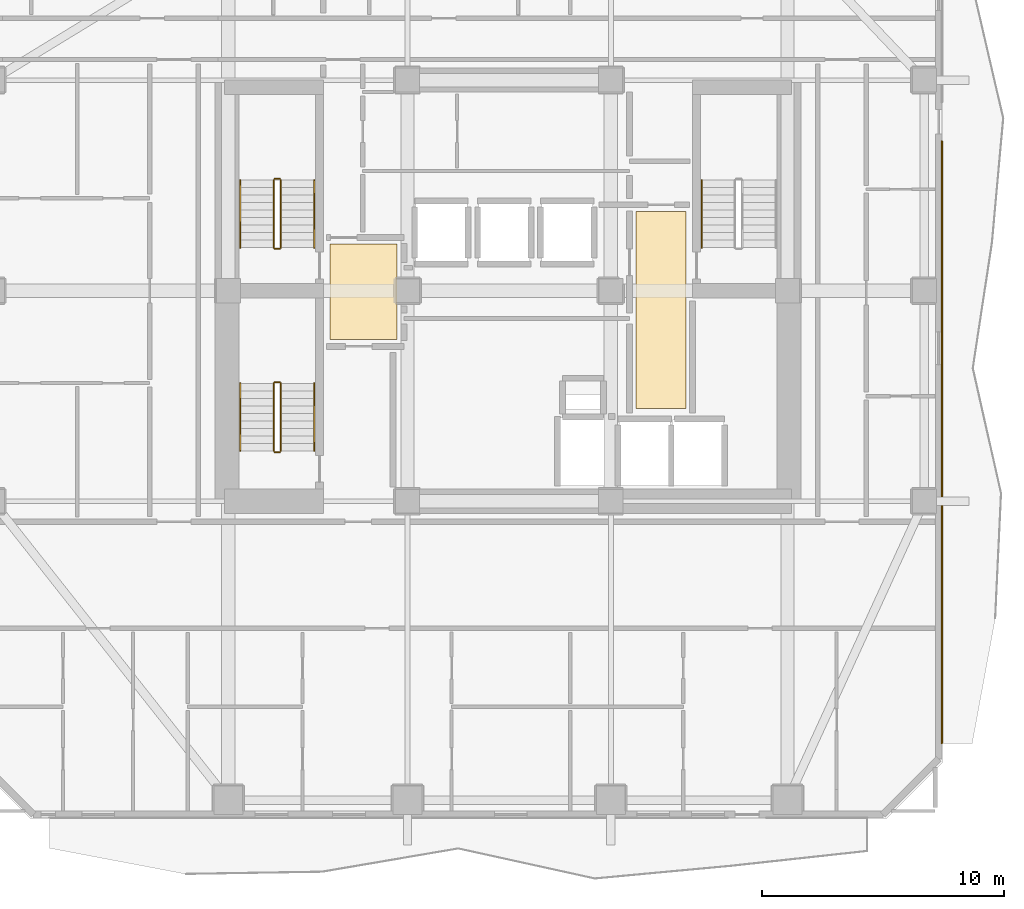
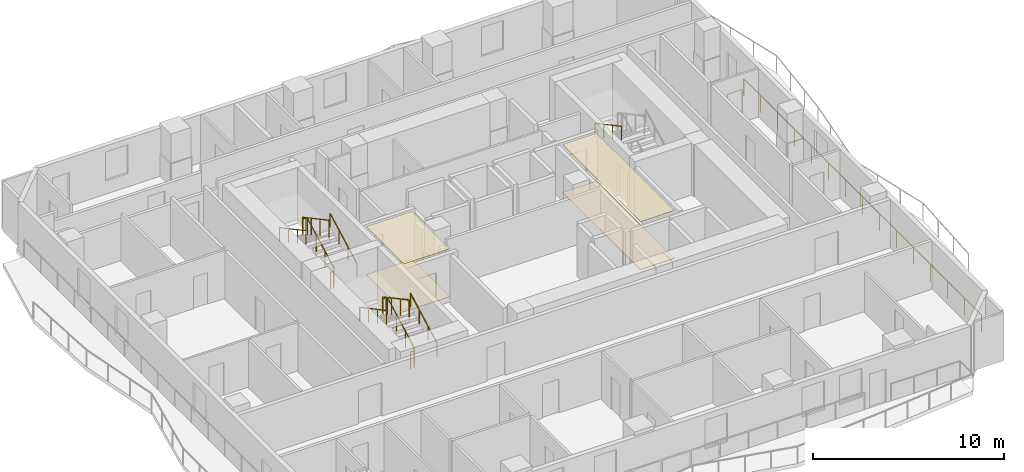
# One storey, part 9 of 11: 14 railings, 4 coverings.
"""IFC4 building model written with IfcOpenShell, lengths in metres."""

from ifc_helpers import new_model, si_unit, direction, frame, origin, origin_2d, place, context, subcontext, project, spatial, polyline, rectangle, outline, extrude, material, layer, layer_set, type_object, element, save


model = new_model("IFC4")

# Units and contexts
model_context = context("Model", 3, precision=1e-05, world=origin(), true_north=direction((0.0, 1.0)))
body_context = subcontext(model_context, "Body", "Model", "MODEL_VIEW")
ifc_project = project(units=[si_unit("LENGTHUNIT", "METRE"), si_unit("AREAUNIT", "SQUARE_METRE"), si_unit("VOLUMEUNIT", "CUBIC_METRE"), si_unit("PLANEANGLEUNIT", "RADIAN"), si_unit("MASSUNIT", "GRAM", prefix="KILO")], contexts=[model_context])

# Site, building, storey
site_placement = place(None, origin())
site = spatial("IfcSite", under=ifc_project, at=site_placement, CompositionType="ELEMENT")
building_placement = place(site_placement, origin())
building = spatial("IfcBuilding", under=site, at=building_placement, Name="Solanera Arch Residences", CompositionType="ELEMENT")
storey_placement = place(building_placement, frame((0.0, 0.0, 112.719970703125)))
storey = spatial("IfcBuildingStorey", under=building, at=storey_placement, Name="L32", CompositionType="ELEMENT", Elevation=112.719970703125)

# Railing
ifc_material_1 = material(Name="Steel S355 (ASTM A992 / A572 Grade 50)", Category="steel")
railing_type_1 = type_object("IfcRailingType", Name="Balustrade Railing BL-1100", PredefinedType="BALUSTRADE", material=ifc_material_1)
railing_1_placement = place(storey_placement, frame((42.8798828125, 36.8779296875, 0.0)))
element("IfcRailing", 1, at=railing_1_placement, inside=storey, type_object=railing_type_1, Name="L32 E Balcony Balustrade 2", PredefinedType="BALUSTRADE", context=body_context, shape_type="SweptSolid", body=[
    extrude(rectangle(XDim=0.048095703125, YDim=0.048095703125, at=origin_2d()), frame((0.0, 0.0, 1.09619140625), z_axis=(0.0, -1.0, 0.0), x_axis=(1.0, 0.0, 0.0)), (0.0, 0.0, 1.0), 24.8779296875),
    extrude(rectangle(XDim=0.0419921875, YDim=0.0419921875, at=origin_2d()), origin(), (0.0, 0.0, 1.0), 1.072021484375),
    extrude(rectangle(XDim=0.0419921875, YDim=0.0419921875, at=origin_2d()), frame((0.0, -1.777099609375, 0.0)), (0.0, 0.0, 1.0), 1.072021484375),
    extrude(rectangle(XDim=0.0419921875, YDim=0.0419921875, at=origin_2d()), frame((0.0, -3.553955078125, 0.0)), (0.0, 0.0, 1.0), 1.072021484375),
    extrude(rectangle(XDim=0.0419921875, YDim=0.0419921875, at=origin_2d()), frame((0.0, -5.3310546875, 0.0)), (0.0, 0.0, 1.0), 1.072021484375),
    extrude(rectangle(XDim=0.0419921875, YDim=0.0419921875, at=origin_2d()), frame((0.0, -7.10791015625, 0.0)), (0.0, 0.0, 1.0), 1.072021484375),
    extrude(rectangle(XDim=0.0419921875, YDim=0.0419921875, at=origin_2d()), frame((0.0, -8.885009765625, 0.0)), (0.0, 0.0, 1.0), 1.072021484375),
    extrude(rectangle(XDim=0.0419921875, YDim=0.0419921875, at=origin_2d()), frame((0.0, -10.661865234375, 0.0)), (0.0, 0.0, 1.0), 1.072021484375),
    extrude(rectangle(XDim=0.0419921875, YDim=0.0419921875, at=origin_2d()), frame((0.0, -12.43896484375, 0.0)), (0.0, 0.0, 1.0), 1.072021484375),
    extrude(rectangle(XDim=0.0419921875, YDim=0.0419921875, at=origin_2d()), frame((0.0, -14.216064453125, 0.0)), (0.0, 0.0, 1.0), 1.072021484375),
    extrude(rectangle(XDim=0.0419921875, YDim=0.0419921875, at=origin_2d()), frame((0.0, -15.992919921875, 0.0)), (0.0, 0.0, 1.0), 1.072021484375),
    extrude(rectangle(XDim=0.0419921875, YDim=0.0419921875, at=origin_2d()), frame((0.0, -17.77001953125, 0.0)), (0.0, 0.0, 1.0), 1.072021484375),
    extrude(rectangle(XDim=0.0419921875, YDim=0.0419921875, at=origin_2d()), frame((0.0, -19.546875, 0.0)), (0.0, 0.0, 1.0), 1.072021484375),
    extrude(rectangle(XDim=0.0419921875, YDim=0.0419921875, at=origin_2d()), frame((0.0, -21.323974609375, 0.0)), (0.0, 0.0, 1.0), 1.072021484375),
    extrude(rectangle(XDim=0.0419921875, YDim=0.0419921875, at=origin_2d()), frame((0.0, -23.100830078125, 0.0)), (0.0, 0.0, 1.0), 1.072021484375),
    extrude(rectangle(XDim=0.0419921875, YDim=0.0419921875, at=origin_2d()), frame((0.0, -24.8779296875, 0.0)), (0.0, 0.0, 1.0), 1.072021484375),
])

# Coverings
ifc_material_2 = material(Name="Porcelain Acoustic Floor Tile", Category="ceramic")
ifc_layer_1 = layer(ifc_material_2, 0.02001953125)
ifc_layer_set_1 = layer_set([ifc_layer_1], Name="Porcelain Acoustic Floor Tile")
covering_type_1 = type_object("IfcCoveringType", Name="Porcelain Acoustic Floor Finish FLR-20", PredefinedType="FLOORING", material=ifc_layer_set_1)
covering_1_placement = place(storey_placement, origin())
element("IfcCovering", 2, at=covering_1_placement, inside=storey, type_object=covering_type_1, Name="L32-FFL-W Porcelain Floor Finish", PredefinedType="FLOORING", context=body_context, shape_type="SweptSolid", body=[
    extrude(outline(polyline([(20.375, 28.675048828125), (17.594970703125, 28.675048828125), (17.594970703125, 32.625), (20.375, 32.625), (20.375, 28.675048828125)])), origin(), (0.0, 0.0, 1.0), 0.02001953125),
])
covering_2_placement = place(storey_placement, origin())
element("IfcCovering", 3, at=covering_2_placement, inside=storey, type_object=covering_type_1, Name="L32-FFL-E Porcelain Floor Finish", PredefinedType="FLOORING", context=body_context, shape_type="SweptSolid", body=[
    extrude(outline(polyline([(32.304931640625, 25.824951171875), (30.25, 25.824951171875), (30.25, 33.97509765625), (32.304931640625, 33.97509765625), (32.304931640625, 25.824951171875)])), origin(), (0.0, 0.0, 1.0), 0.02001953125),
])

# Railings
ifc_material_3 = material(Name="Steel S355 (ASTM A992 / A572 Grade 50)", Category="steel")
railing_type_2 = type_object("IfcRailingType", Name="Stair Guardrail GR-1100", PredefinedType="GUARDRAIL", material=ifc_material_3)
railing_2_placement = place(storey_placement, frame((15.570068359375, 32.47998046875, 0.151123046875)))
element("IfcRailing", 4, at=railing_2_placement, inside=storey, type_object=railing_type_2, Name="L32 ST-T1 stair guard 1", PredefinedType="GUARDRAIL", context=body_context, shape_type="SweptSolid", body=[
    extrude(rectangle(XDim=0.048095703125, YDim=0.048095703125, at=origin_2d()), frame((0.0, 0.0, 1.076171875), z_axis=(0.0, 0.881580869306, 0.472033018838), x_axis=(-1.0, 0.0, 0.0)), (0.0, 0.0, 1.0), 3.164794921875),
    extrude(rectangle(XDim=0.0419921875, YDim=0.0419921875, at=origin_2d()), origin(), (0.0, 0.0, 1.0), 1.052001953125),
    extrude(rectangle(XDim=0.0419921875, YDim=0.0419921875, at=origin_2d()), frame((0.0, 0.929931640625, 0.498046875)), (0.0, 0.0, 1.0), 1.052001953125),
    extrude(rectangle(XDim=0.0419921875, YDim=0.0419921875, at=origin_2d()), frame((0.0, 1.860107421875, 0.995849609375)), (0.0, 0.0, 1.0), 1.052001953125),
    extrude(rectangle(XDim=0.0419921875, YDim=0.0419921875, at=origin_2d()), frame((0.0, 2.7900390625, 1.493896484375)), (0.0, 0.0, 1.0), 1.052001953125),
])
railing_3_placement = place(storey_placement, frame((15.52001953125, 35.320068359375, 1.64501953125)))
element("IfcRailing", 5, at=railing_3_placement, inside=storey, type_object=railing_type_2, Name="L32 ST-T1 stair guard 2", PredefinedType="GUARDRAIL", context=body_context, shape_type="SweptSolid", body=[
    extrude(rectangle(XDim=0.048095703125, YDim=0.048095703125, at=origin_2d()), frame((0.0, 0.0, 1.076171875), z_axis=(-1.0, 0.0, 0.0), x_axis=(0.0, -1.0, 0.0)), (0.0, 0.0, 1.0), 0.199951171875),
    extrude(rectangle(XDim=0.0419921875, YDim=0.0419921875, at=origin_2d()), origin(), (0.0, 0.0, 1.0), 1.052001953125),
    extrude(rectangle(XDim=0.0419921875, YDim=0.0419921875, at=origin_2d()), frame((-0.199951171875, 0.0, 0.0)), (0.0, 0.0, 1.0), 1.052001953125),
])
railing_4_placement = place(storey_placement, frame((15.27001953125, 35.27001953125, 1.81103515625)))
element("IfcRailing", 6, at=railing_4_placement, inside=storey, type_object=railing_type_2, Name="L32 ST-T1 stair guard 3", PredefinedType="GUARDRAIL", context=body_context, shape_type="SweptSolid", body=[
    extrude(rectangle(XDim=0.048095703125, YDim=0.048095703125, at=origin_2d()), frame((0.0, 0.0, 1.076171875), z_axis=(0.0, -0.881580869306, 0.472033018838), x_axis=(1.0, 0.0, 0.0)), (0.0, 0.0, 1.0), 3.164794921875),
    extrude(rectangle(XDim=0.0419921875, YDim=0.0419921875, at=origin_2d()), origin(), (0.0, 0.0, 1.0), 1.052001953125),
    extrude(rectangle(XDim=0.0419921875, YDim=0.0419921875, at=origin_2d()), frame((0.0, -0.929931640625, 0.498046875)), (0.0, 0.0, 1.0), 1.052001953125),
    extrude(rectangle(XDim=0.0419921875, YDim=0.0419921875, at=origin_2d()), frame((0.0, -1.860107421875, 0.995849609375)), (0.0, 0.0, 1.0), 1.052001953125),
    extrude(rectangle(XDim=0.0419921875, YDim=0.0419921875, at=origin_2d()), frame((0.0, -2.7900390625, 1.493896484375)), (0.0, 0.0, 1.0), 1.052001953125),
])
railing_5_placement = place(storey_placement, frame((15.52001953125, 32.429931640625, -0.014892578125)))
element("IfcRailing", 7, at=railing_5_placement, inside=storey, type_object=railing_type_2, Name="L32 ST-T1 stair guard 4", PredefinedType="GUARDRAIL", context=body_context, shape_type="SweptSolid", body=[
    extrude(rectangle(XDim=0.048095703125, YDim=0.048095703125, at=origin_2d()), frame((0.0, 0.0, 1.076171875), z_axis=(-1.0, 0.0, 0.0), x_axis=(0.0, -1.0, 0.0)), (0.0, 0.0, 1.0), 0.199951171875),
    extrude(rectangle(XDim=0.0419921875, YDim=0.0419921875, at=origin_2d()), origin(), (0.0, 0.0, 1.0), 1.052001953125),
    extrude(rectangle(XDim=0.0419921875, YDim=0.0419921875, at=origin_2d()), frame((-0.199951171875, 0.0, 0.0)), (0.0, 0.0, 1.0), 1.052001953125),
])
railing_6_placement = place(storey_placement, frame((15.570068359375, 24.080078125, 0.151123046875)))
element("IfcRailing", 8, at=railing_6_placement, inside=storey, type_object=railing_type_2, Name="L32 ST-T3 stair guard 1", PredefinedType="GUARDRAIL", context=body_context, shape_type="SweptSolid", body=[
    extrude(rectangle(XDim=0.048095703125, YDim=0.048095703125, at=origin_2d()), frame((0.0, 0.0, 1.076171875), z_axis=(0.0, 0.881580869306, 0.472033018838), x_axis=(-1.0, 0.0, 0.0)), (0.0, 0.0, 1.0), 3.164794921875),
    extrude(rectangle(XDim=0.0419921875, YDim=0.0419921875, at=origin_2d()), origin(), (0.0, 0.0, 1.0), 1.052001953125),
    extrude(rectangle(XDim=0.0419921875, YDim=0.0419921875, at=origin_2d()), frame((0.0, 0.929931640625, 0.498046875)), (0.0, 0.0, 1.0), 1.052001953125),
    extrude(rectangle(XDim=0.0419921875, YDim=0.0419921875, at=origin_2d()), frame((0.0, 1.860107421875, 0.995849609375)), (0.0, 0.0, 1.0), 1.052001953125),
    extrude(rectangle(XDim=0.0419921875, YDim=0.0419921875, at=origin_2d()), frame((0.0, 2.7900390625, 1.493896484375)), (0.0, 0.0, 1.0), 1.052001953125),
])
railing_7_placement = place(storey_placement, frame((15.52001953125, 26.919921875, 1.64501953125)))
element("IfcRailing", 9, at=railing_7_placement, inside=storey, type_object=railing_type_2, Name="L32 ST-T3 stair guard 2", PredefinedType="GUARDRAIL", context=body_context, shape_type="SweptSolid", body=[
    extrude(rectangle(XDim=0.048095703125, YDim=0.048095703125, at=origin_2d()), frame((0.0, 0.0, 1.076171875), z_axis=(-1.0, 0.0, 0.0), x_axis=(0.0, -1.0, 0.0)), (0.0, 0.0, 1.0), 0.199951171875),
    extrude(rectangle(XDim=0.0419921875, YDim=0.0419921875, at=origin_2d()), origin(), (0.0, 0.0, 1.0), 1.052001953125),
    extrude(rectangle(XDim=0.0419921875, YDim=0.0419921875, at=origin_2d()), frame((-0.199951171875, 0.0, 0.0)), (0.0, 0.0, 1.0), 1.052001953125),
])
railing_8_placement = place(storey_placement, frame((15.27001953125, 26.8701171875, 1.81103515625)))
element("IfcRailing", 10, at=railing_8_placement, inside=storey, type_object=railing_type_2, Name="L32 ST-T3 stair guard 3", PredefinedType="GUARDRAIL", context=body_context, shape_type="SweptSolid", body=[
    extrude(rectangle(XDim=0.048095703125, YDim=0.048095703125, at=origin_2d()), frame((0.0, 0.0, 1.076171875), z_axis=(0.0, -0.881580869306, 0.472033018838), x_axis=(1.0, 0.0, 0.0)), (0.0, 0.0, 1.0), 3.164794921875),
    extrude(rectangle(XDim=0.0419921875, YDim=0.0419921875, at=origin_2d()), origin(), (0.0, 0.0, 1.0), 1.052001953125),
    extrude(rectangle(XDim=0.0419921875, YDim=0.0419921875, at=origin_2d()), frame((0.0, -0.929931640625, 0.498046875)), (0.0, 0.0, 1.0), 1.052001953125),
    extrude(rectangle(XDim=0.0419921875, YDim=0.0419921875, at=origin_2d()), frame((0.0, -1.860107421875, 0.995849609375)), (0.0, 0.0, 1.0), 1.052001953125),
    extrude(rectangle(XDim=0.0419921875, YDim=0.0419921875, at=origin_2d()), frame((0.0, -2.7900390625, 1.493896484375)), (0.0, 0.0, 1.0), 1.052001953125),
])
railing_9_placement = place(storey_placement, frame((15.52001953125, 24.030029296875, -0.014892578125)))
element("IfcRailing", 11, at=railing_9_placement, inside=storey, type_object=railing_type_2, Name="L32 ST-T3 stair guard 4", PredefinedType="GUARDRAIL", context=body_context, shape_type="SweptSolid", body=[
    extrude(rectangle(XDim=0.048095703125, YDim=0.048095703125, at=origin_2d()), frame((0.0, 0.0, 1.076171875), z_axis=(-1.0, 0.0, 0.0), x_axis=(0.0, -1.0, 0.0)), (0.0, 0.0, 1.0), 0.199951171875),
    extrude(rectangle(XDim=0.0419921875, YDim=0.0419921875, at=origin_2d()), origin(), (0.0, 0.0, 1.0), 1.052001953125),
    extrude(rectangle(XDim=0.0419921875, YDim=0.0419921875, at=origin_2d()), frame((-0.199951171875, 0.0, 0.0)), (0.0, 0.0, 1.0), 1.052001953125),
])
ifc_material_4 = material(Name="Steel S355 (ASTM A992 / A572 Grade 50)", Category="steel")
railing_type_3 = type_object("IfcRailingType", Name="Stair Wall Handrail HR-920", PredefinedType="HANDRAIL", material=ifc_material_4)
railing_10_placement = place(storey_placement, frame((16.949951171875, 32.47998046875, 0.166015625)))
element("IfcRailing", 12, at=railing_10_placement, inside=storey, type_object=railing_type_3, Name="L32 ST-T1 stair handrail 1", PredefinedType="HANDRAIL", context=body_context, shape_type="SweptSolid", body=[
    extrude(rectangle(XDim=0.048095703125, YDim=0.048095703125, at=origin_2d()), frame((0.0, 0.0, 0.8759765625), z_axis=(0.0, 0.881580869306, 0.472033018838), x_axis=(-1.0, 0.0, 0.0)), (0.0, 0.0, 1.0), 3.164794921875),
    extrude(rectangle(XDim=0.0419921875, YDim=0.0419921875, at=origin_2d()), origin(), (0.0, 0.0, 1.0), 0.851806640625),
    extrude(rectangle(XDim=0.0419921875, YDim=0.0419921875, at=origin_2d()), frame((0.0, 0.929931640625, 0.498046875)), (0.0, 0.0, 1.0), 0.851806640625),
    extrude(rectangle(XDim=0.0419921875, YDim=0.0419921875, at=origin_2d()), frame((0.0, 1.860107421875, 0.995849609375)), (0.0, 0.0, 1.0), 0.851806640625),
    extrude(rectangle(XDim=0.0419921875, YDim=0.0419921875, at=origin_2d()), frame((0.0, 2.7900390625, 1.493896484375)), (0.0, 0.0, 1.0), 0.851806640625),
])
for number, where, name in (
    (13, (13.889892578125, 35.27001953125, 1.825927734375), "L32 ST-T1 stair handrail 2"),
    (14, (32.949951171875, 35.27001953125, 1.825927734375), "L32 ST-T2 stair handrail 2"),
):
    element("IfcRailing", number, at=place(storey_placement, frame(where)), inside=storey, type_object=railing_type_3, Name=name, PredefinedType="HANDRAIL", context=body_context, shape_type="SweptSolid", body=[
        extrude(rectangle(XDim=0.048095703125, YDim=0.048095703125, at=origin_2d()), frame((0.0, 0.0, 0.8759765625), z_axis=(0.0, -0.881548766853, 0.472092969298), x_axis=(1.0, 0.0, 0.0)), (0.0, 0.0, 1.0), 3.1650390625),
        extrude(rectangle(XDim=0.0419921875, YDim=0.0419921875, at=origin_2d()), origin(), (0.0, 0.0, 1.0), 0.851806640625),
        extrude(rectangle(XDim=0.0419921875, YDim=0.0419921875, at=origin_2d()), frame((0.0, -0.929931640625, 0.498046875)), (0.0, 0.0, 1.0), 0.851806640625),
        extrude(rectangle(XDim=0.0419921875, YDim=0.0419921875, at=origin_2d()), frame((0.0, -1.860107421875, 0.99609375)), (0.0, 0.0, 1.0), 0.851806640625),
        extrude(rectangle(XDim=0.0419921875, YDim=0.0419921875, at=origin_2d()), frame((0.0, -2.7900390625, 1.494140625)), (0.0, 0.0, 1.0), 0.851806640625),
    ])
railing_11_placement = place(storey_placement, frame((16.949951171875, 24.080078125, 0.166015625)))
element("IfcRailing", 15, at=railing_11_placement, inside=storey, type_object=railing_type_3, Name="L32 ST-T3 stair handrail 1", PredefinedType="HANDRAIL", context=body_context, shape_type="SweptSolid", body=[
    extrude(rectangle(XDim=0.048095703125, YDim=0.048095703125, at=origin_2d()), frame((0.0, 0.0, 0.8759765625), z_axis=(0.0, 0.881580869306, 0.472033018838), x_axis=(-1.0, 0.0, 0.0)), (0.0, 0.0, 1.0), 3.164794921875),
    extrude(rectangle(XDim=0.0419921875, YDim=0.0419921875, at=origin_2d()), origin(), (0.0, 0.0, 1.0), 0.851806640625),
    extrude(rectangle(XDim=0.0419921875, YDim=0.0419921875, at=origin_2d()), frame((0.0, 0.929931640625, 0.498046875)), (0.0, 0.0, 1.0), 0.851806640625),
    extrude(rectangle(XDim=0.0419921875, YDim=0.0419921875, at=origin_2d()), frame((0.0, 1.860107421875, 0.995849609375)), (0.0, 0.0, 1.0), 0.851806640625),
    extrude(rectangle(XDim=0.0419921875, YDim=0.0419921875, at=origin_2d()), frame((0.0, 2.7900390625, 1.493896484375)), (0.0, 0.0, 1.0), 0.851806640625),
])
railing_12_placement = place(storey_placement, frame((13.889892578125, 26.8701171875, 1.825927734375)))
element("IfcRailing", 16, at=railing_12_placement, inside=storey, type_object=railing_type_3, Name="L32 ST-T3 stair handrail 2", PredefinedType="HANDRAIL", context=body_context, shape_type="SweptSolid", body=[
    extrude(rectangle(XDim=0.048095703125, YDim=0.048095703125, at=origin_2d()), frame((0.0, 0.0, 0.8759765625), z_axis=(0.0, -0.881548766853, 0.472092969298), x_axis=(1.0, 0.0, 0.0)), (0.0, 0.0, 1.0), 3.1650390625),
    extrude(rectangle(XDim=0.0419921875, YDim=0.0419921875, at=origin_2d()), origin(), (0.0, 0.0, 1.0), 0.851806640625),
    extrude(rectangle(XDim=0.0419921875, YDim=0.0419921875, at=origin_2d()), frame((0.0, -0.929931640625, 0.498046875)), (0.0, 0.0, 1.0), 0.851806640625),
    extrude(rectangle(XDim=0.0419921875, YDim=0.0419921875, at=origin_2d()), frame((0.0, -1.860107421875, 0.99609375)), (0.0, 0.0, 1.0), 0.851806640625),
    extrude(rectangle(XDim=0.0419921875, YDim=0.0419921875, at=origin_2d()), frame((0.0, -2.7900390625, 1.494140625)), (0.0, 0.0, 1.0), 0.851806640625),
])

# Coverings
ifc_material_5 = material(Name="Mineral Fibre Acoustic Ceiling Board", Category="gypsum")
ifc_layer_2 = layer(ifc_material_5, 0.02490234375)
ifc_layer_set_2 = layer_set([ifc_layer_2], Name="Mineral Fibre Acoustic Ceiling Board")
covering_type_2 = type_object("IfcCoveringType", Name="Suspended Acoustic Ceiling Board CLG-25", PredefinedType="CEILING", material=ifc_layer_set_2)
covering_3_placement = place(storey_placement, frame((0.0, 0.0, 3.054931640625)))
element("IfcCovering", 17, at=covering_3_placement, inside=storey, type_object=covering_type_2, Name="L32-FFL-W Acoustic Ceiling", PredefinedType="CEILING", context=body_context, shape_type="SweptSolid", body=[
    extrude(outline(polyline([(20.375, 28.675048828125), (17.594970703125, 28.675048828125), (17.594970703125, 32.625), (20.375, 32.625), (20.375, 28.675048828125)])), origin(), (0.0, 0.0, 1.0), 0.025146484375),
])
covering_4_placement = place(storey_placement, frame((0.0, 0.0, 3.054931640625)))
element("IfcCovering", 18, at=covering_4_placement, inside=storey, type_object=covering_type_2, Name="L32-FFL-E Acoustic Ceiling", PredefinedType="CEILING", context=body_context, shape_type="SweptSolid", body=[
    extrude(outline(polyline([(32.304931640625, 25.824951171875), (30.25, 25.824951171875), (30.25, 33.97509765625), (32.304931640625, 33.97509765625), (32.304931640625, 25.824951171875)])), origin(), (0.0, 0.0, 1.0), 0.025146484375),
])

save(model, "model.ifc")
